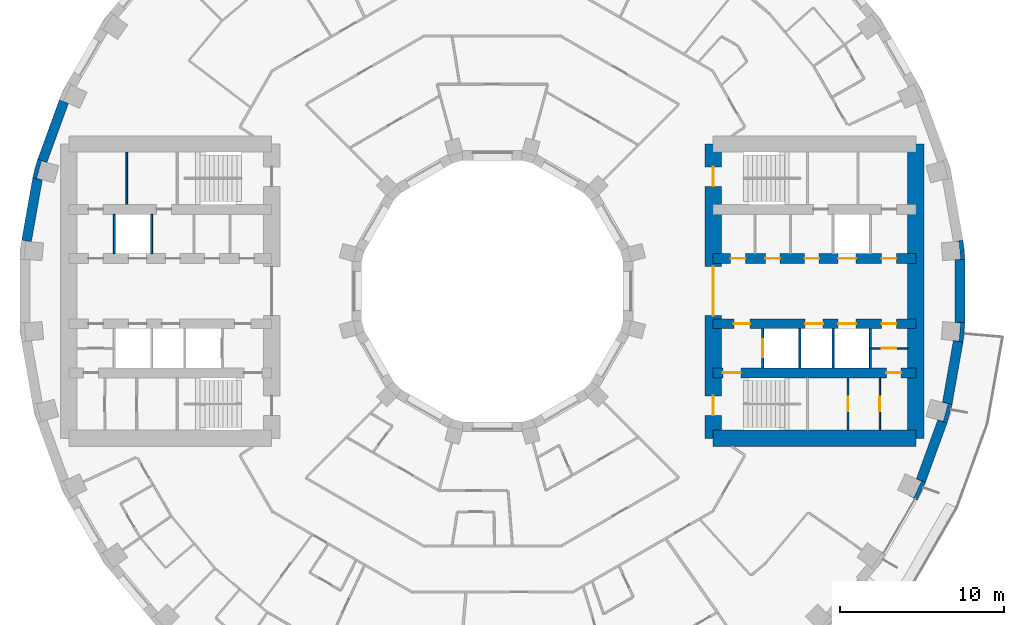
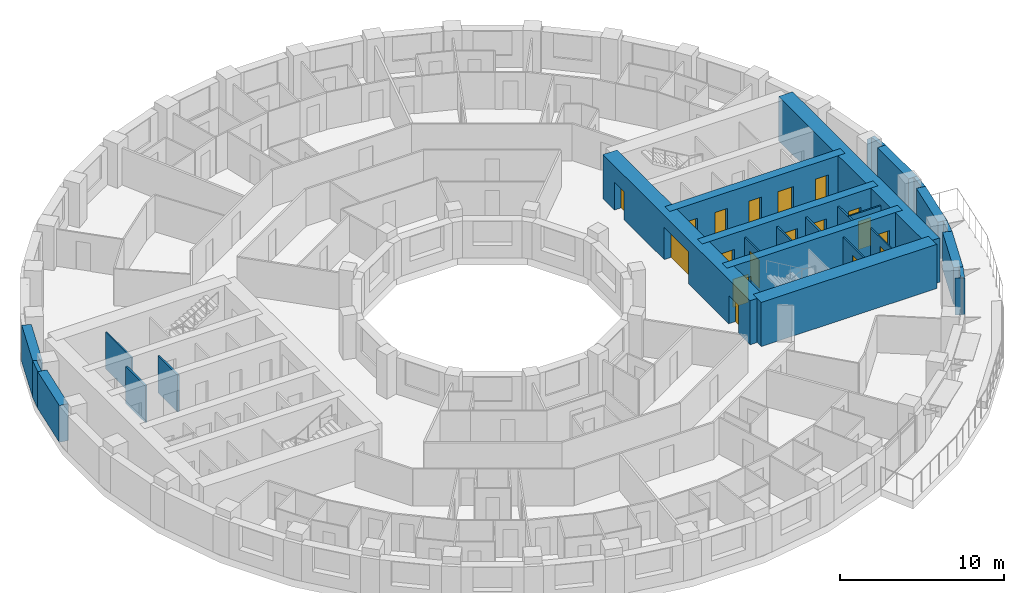
# One storey, part 9 of 15: 26 walls, 18 doors, 18 openings.
"""IFC4 building model written with IfcOpenShell, lengths in metres."""

import ifcopenshell
import ifcopenshell.guid

model = None  # the IFC model being written
_history = None  # IfcOwnerHistory: only IFC2X3 demands one
_inside = {}  # id of a spatial element -> (the spatial element, [elements in it])
_under = {}  # id of a project, library or spatial element -> (it, [spatial elements below it])
_declared = {}  # id of a project -> (the project, [libraries it declares])
_typed = {}  # id of a type object -> (the type object, [elements of that type])
_made_of = {}  # id of a material, layer set ... -> (it, [elements and type objects made of it])


def new_model(schema):
    """Start an empty IFC model of exactly this schema.

    Asked for "IFC4X3", IfcOpenShell would pick the latest addendum, in which some entities
    have other attributes; the version numbers below select the first issue.
    IFC2X3 requires an IfcOwnerHistory on every rooted entity: one is made here for all.
    """
    global model, _history
    if schema == "IFC4X3":
        model = ifcopenshell.file(schema_version=(4, 3, 0, 0))
    else:
        model = ifcopenshell.file(schema=schema)
    _inside.clear()
    _under.clear()
    _declared.clear()
    _typed.clear()
    _made_of.clear()
    _history = None
    if model.schema == "IFC2X3":
        org = make("IfcOrganization", Name="unknown")
        user = make(
            "IfcPersonAndOrganization",
            ThePerson=make("IfcPerson", FamilyName="unknown"),
            TheOrganization=org,
        )
        app = make(
            "IfcApplication",
            ApplicationDeveloper=org,
            Version="unknown",
            ApplicationFullName="unknown",
            ApplicationIdentifier="unknown",
        )
        _history = make(
            "IfcOwnerHistory",
            OwningUser=user,
            OwningApplication=app,
            ChangeAction="ADDED",
            CreationDate=0,
        )
    return model


def make(cls, **values):
    """One entity of the class cls with the attributes given. An attribute that is None is left unset."""
    return model.create_entity(
        cls, **{name: value for name, value in values.items() if value is not None}
    )


def rooted(cls, **values):
    """An entity with a GlobalId (a new one), such as an element, a storey or a relation."""
    return make(cls, GlobalId=ifcopenshell.guid.new(), OwnerHistory=_history, **values)


def si_unit(unit_type, name, prefix=None):
    """IfcSIUnit, for example si_unit("LENGTHUNIT", "METRE", prefix="MILLI")."""
    return make("IfcSIUnit", UnitType=unit_type, Prefix=prefix, Name=name)


def assignment(units):
    """IfcUnitAssignment: the units of a project."""
    return None if units is None else make("IfcUnitAssignment", Units=units)


def point(xyz):
    """IfcCartesianPoint."""
    return None if xyz is None else make("IfcCartesianPoint", Coordinates=xyz)


def direction(xyz):
    """IfcDirection."""
    return None if xyz is None else make("IfcDirection", DirectionRatios=xyz)


def frame(location, z_axis=None, x_axis=None):
    """IfcAxis2Placement3D, a coordinate frame: its origin and axes. An axis left out is left unset."""
    return make(
        "IfcAxis2Placement3D",
        Location=point(location),
        Axis=direction(z_axis),
        RefDirection=direction(x_axis),
    )


def frame_2d(location, x_axis=None):
    """IfcAxis2Placement2D, a coordinate frame in the plane: its origin and x axis."""
    return make(
        "IfcAxis2Placement2D", Location=point(location), RefDirection=direction(x_axis)
    )


def origin():
    """The frame at (0, 0, 0) with its axes left unset."""
    return frame((0.0, 0.0, 0.0))


def place(relative_to, where):
    """IfcLocalPlacement: puts the frame where relative to a parent placement (None: the world)."""
    return make(
        "IfcLocalPlacement", PlacementRelTo=relative_to, RelativePlacement=where
    )


def context(
    kind, dimensions, precision=None, world=None, true_north=None, identifier=None
):
    """IfcGeometricRepresentationContext, for example the 3D "Model" context."""
    return make(
        "IfcGeometricRepresentationContext",
        ContextIdentifier=identifier,
        ContextType=kind,
        CoordinateSpaceDimension=dimensions,
        Precision=precision,
        WorldCoordinateSystem=world,
        TrueNorth=true_north,
    )


def subcontext(parent, identifier, kind, view, scale=None):
    """IfcGeometricRepresentationSubContext, for example "Body" below "Model"."""
    return make(
        "IfcGeometricRepresentationSubContext",
        ContextIdentifier=identifier,
        ContextType=kind,
        ParentContext=parent,
        TargetScale=scale,
        TargetView=view,
    )


def project(units=None, contexts=None):
    """IfcProject with its units and contexts."""
    return rooted(
        "IfcProject",
        Name="project",
        RepresentationContexts=contexts,
        UnitsInContext=assignment(units),
    )


def spatial(cls, under=None, at=None, **own):
    """A site, building, storey or space (cls), placed at a placement, below another one or the project."""
    s = rooted(cls, ObjectPlacement=at, **own)
    if under is not None:
        _under.setdefault(under.id(), (under, []))[1].append(s)
    return s


def polyline(points):
    """IfcPolyline through the points."""
    return make("IfcPolyline", Points=[point(p) for p in points])


def profile(cls, at=None, kind="AREA", **sizes):
    """A parametric profile (cls). Its sizes go by their IFC names, for example OverallWidth=200.0."""
    return make(cls, ProfileType=kind, Position=at, **sizes)


def rectangle(**sizes):
    """IfcRectangleProfileDef."""
    return profile("IfcRectangleProfileDef", **sizes)


def outline(outer, holes=None, kind="AREA"):
    """IfcArbitraryClosedProfileDef: a profile drawn as a closed curve; with holes, ...WithVoids."""
    if holes is None:
        return make("IfcArbitraryClosedProfileDef", ProfileType=kind, OuterCurve=outer)
    return make(
        "IfcArbitraryProfileDefWithVoids",
        ProfileType=kind,
        OuterCurve=outer,
        InnerCurves=holes,
    )


def extrude(swept, where, along, depth):
    """IfcExtrudedAreaSolid: the profile swept, set in the frame where, extruded along a direction by depth."""
    return make(
        "IfcExtrudedAreaSolid",
        SweptArea=swept,
        Position=where,
        ExtrudedDirection=direction(along),
        Depth=depth,
    )


def shape(context_of_items, identifier, shape_type, items):
    """IfcShapeRepresentation: the items that make up one representation, for example the "Body"."""
    return make(
        "IfcShapeRepresentation",
        ContextOfItems=context_of_items,
        RepresentationIdentifier=identifier,
        RepresentationType=shape_type,
        Items=items,
    )


def material(Name=None, Category=None):
    """IfcMaterial."""
    return make("IfcMaterial", Name=Name, Category=Category)


def layer(
    of_material, thickness, ventilated=None, Name=None, Category=None, Priority=None
):
    """IfcMaterialLayer: one layer of a wall or slab, of a material (None: an air gap)."""
    return make(
        "IfcMaterialLayer",
        Material=of_material,
        LayerThickness=thickness,
        IsVentilated=ventilated,
        Name=Name,
        Category=Category,
        Priority=Priority,
    )


def layer_set(layers, Name=None):
    """IfcMaterialLayerSet."""
    return make("IfcMaterialLayerSet", MaterialLayers=layers, LayerSetName=Name)


def made_of(thing, what):
    """Note that an element or type object is made of a material, layer set ...; save() writes the relation."""
    if what is not None:
        _made_of.setdefault(what.id(), (what, []))[1].append(thing)
    return thing


def type_object(cls, material=None, **own):
    """A type object (cls), such as IfcWallType, which elements share."""
    return made_of(rooted(cls, **own), material)


def element(
    cls,
    number,
    at=None,
    inside=None,
    cuts=None,
    type_object=None,
    material=None,
    context=None,
    identifier="Body",
    shape_type=None,
    held_by="IfcProductDefinitionShape",
    body=None,
    shapes=None,
    **own,
):
    """One element of the class cls, such as IfcWall. Its Tag is "e" and its number.

    at: its placement. inside: the storey or other place that contains it. cuts: it is an
    opening in that element (IfcRelVoidsElement). A single representation is given by context,
    identifier, shape_type and body (its items); several are given by shapes. held_by: the class
    of the entity that holds the representations. save() writes the other relations.
    """
    e = rooted(cls, Tag="e%d" % number, ObjectPlacement=at, **own)
    if body is not None:
        shapes = [shape(context, identifier, shape_type, body)]
    if shapes is not None:
        e.Representation = make(held_by, Representations=shapes)
    if inside is not None:
        _inside.setdefault(inside.id(), (inside, []))[1].append(e)
    if cuts is not None:
        rooted(
            "IfcRelVoidsElement", RelatingBuildingElement=cuts, RelatedOpeningElement=e
        )
    if type_object is not None:
        _typed.setdefault(type_object.id(), (type_object, []))[1].append(e)
    return made_of(e, material)


def fill(opening, filler):
    """IfcRelFillsElement: the door or window that sits in an opening."""
    return rooted(
        "IfcRelFillsElement",
        RelatingOpeningElement=opening,
        RelatedBuildingElement=filler,
    )


def aggregate(whole, parts):
    """IfcRelAggregates: a whole, such as a stair, and the parts it consists of."""
    return rooted("IfcRelAggregates", RelatingObject=whole, RelatedObjects=parts)


def save(model, path):
    """Write the relations noted so far, then the file.

    IfcRelAggregates (storeys below a building ...), IfcRelContainedInSpatialStructure (elements
    in a storey), IfcRelDefinesByType, IfcRelAssociatesMaterial and IfcRelDeclares: one each for
    every whole, place, type object, material and project.
    """
    for whole, parts in _under.values():
        aggregate(whole, parts)
    for where, things in _inside.values():
        rooted(
            "IfcRelContainedInSpatialStructure",
            RelatedElements=things,
            RelatingStructure=where,
        )
    for kind, things in _typed.values():
        rooted("IfcRelDefinesByType", RelatedObjects=things, RelatingType=kind)
    for what, things in _made_of.values():
        rooted("IfcRelAssociatesMaterial", RelatedObjects=things, RelatingMaterial=what)
    for by, libraries in _declared.values():
        rooted("IfcRelDeclares", RelatingContext=by, RelatedDefinitions=libraries)
    model.write(path)


model = new_model("IFC4")

# Units and contexts
model_context = context("Model", 3, precision=1e-05, world=origin(), true_north=direction((0.0, 1.0)))
body_context = subcontext(model_context, "Body", "Model", "MODEL_VIEW")
ifc_project = project(units=[si_unit("LENGTHUNIT", "METRE"), si_unit("AREAUNIT", "SQUARE_METRE"), si_unit("VOLUMEUNIT", "CUBIC_METRE"), si_unit("PLANEANGLEUNIT", "RADIAN"), si_unit("MASSUNIT", "GRAM", prefix="KILO")], contexts=[model_context])

# Site, building, storey
site_placement = place(None, origin())
site = spatial("IfcSite", under=ifc_project, at=site_placement, CompositionType="ELEMENT")
building_placement = place(site_placement, origin())
building = spatial("IfcBuilding", under=site, at=building_placement, Name="Saqina Gate Tower", CompositionType="ELEMENT")
storey_placement = place(building_placement, frame((0.0, 0.0, 36.199951171875)))
storey = spatial("IfcBuildingStorey", under=building, at=storey_placement, Name="L09", CompositionType="ELEMENT", Elevation=36.199951171875)

# Walls
ifc_material_1 = material(Name="Brick masonry (red)", Category="masonry")
wall_type_1 = type_object("IfcWallType", Name="BRICK PIER COPING RED", PredefinedType="SOLIDWALL", material=ifc_material_1)
wall_1_placement = place(storey_placement, origin())
element("IfcWall", 1, at=wall_1_placement, inside=storey, type_object=wall_type_1, Name="Pier cap L09 column 1", PredefinedType="SOLIDWALL", context=body_context, shape_type="SweptSolid", body=[
    extrude(outline(polyline([(28.8896484375, 1.9228515625), (28.78466796875, 3.122802734375), (28.19384765625, 3.018798828125), (28.54296875, 3.04931640625), (28.638671875, 1.95361328125), (28.28955078125, 1.9228515625), (28.8896484375, 1.9228515625)])), origin(), (0.0, 0.0, 1.0), 2.75),
])
wall_2_placement = place(storey_placement, origin())
element("IfcWall", 2, at=wall_2_placement, inside=storey, type_object=wall_type_1, Name="Pier cap L09 column 17", PredefinedType="SOLIDWALL", context=body_context, shape_type="SweptSolid", body=[
    extrude(outline(polyline([(-28.11669921875, 6.910400390625), (-27.52587890625, 6.80615234375), (-27.864501953125, 6.896728515625), (-27.57958984375, 7.95947265625), (-27.2412109375, 7.86865234375), (-27.80517578125, 8.073974609375), (-28.11669921875, 6.910400390625)])), origin(), (0.0, 0.0, 1.0), 2.75),
])
wall_3_placement = place(storey_placement, origin())
element("IfcWall", 3, at=wall_3_placement, inside=storey, type_object=wall_type_1, Name="Pier cap L09 column 34", PredefinedType="SOLIDWALL", context=body_context, shape_type="SweptSolid", body=[
    extrude(outline(polyline([(26.48974609375, -11.687744140625), (25.92578125, -11.482666015625), (26.243408203125, -11.630615234375), (25.778564453125, -12.627685546875), (25.4609375, -12.4794921875), (25.980712890625, -12.779541015625), (26.48974609375, -11.687744140625)])), origin(), (0.0, 0.0, 1.0), 2.75),
])
wall_4_placement = place(storey_placement, origin())
element("IfcWall", 4, at=wall_4_placement, inside=storey, type_object=wall_type_1, Name="Pier cap L09 column 35", PredefinedType="SOLIDWALL", context=body_context, shape_type="SweptSolid", body=[
    extrude(outline(polyline([(28.11669921875, -6.910400390625), (27.52587890625, -6.80615234375), (27.864501953125, -6.896728515625), (27.57958984375, -7.95947265625), (27.2412109375, -7.86865234375), (27.80517578125, -8.073974609375), (28.11669921875, -6.910400390625)])), origin(), (0.0, 0.0, 1.0), 2.75),
])
wall_5_placement = place(storey_placement, origin())
element("IfcWall", 5, at=wall_5_placement, inside=storey, type_object=wall_type_1, Name="Pier cap L09 column 36", PredefinedType="SOLIDWALL", context=body_context, shape_type="SweptSolid", body=[
    extrude(outline(polyline([(28.78466796875, -3.122802734375), (28.8896484375, -1.9228515625), (28.28955078125, -1.9228515625), (28.638671875, -1.95361328125), (28.54296875, -3.04931640625), (28.19384765625, -3.018798828125), (28.78466796875, -3.122802734375)])), origin(), (0.0, 0.0, 1.0), 2.75),
])

# Wall, opening, door
ifc_material_2 = material(Name="Gypsum board on steel studs", Category="steel")
ifc_layer_1 = layer(ifc_material_2, 0.10009765625)
ifc_layer_set_1 = layer_set([ifc_layer_1], Name="CORE PARTITION")
wall_type_2 = type_object("IfcWallType", Name="CORE PARTITION", PredefinedType="PARTITIONING", material=ifc_layer_set_1)
wall_6_placement = place(storey_placement, frame((23.1201171875, -3.5, 0.0), z_axis=(0.0, 0.0, 1.0), x_axis=(1.0, 0.0, 0.0)))
wall_6 = element("IfcWall", 6, at=wall_6_placement, inside=storey, type_object=wall_type_2, Name="L09-CP-E09", PredefinedType="PARTITIONING", context=body_context, shape_type="SweptSolid", body=[
    extrude(rectangle(XDim=2.27978515625, YDim=0.10009765625, at=frame_2d((1.139892578125, 0.0))), origin(), (0.0, 0.0, 1.0), 2.75),
])
opening_1_placement = place(wall_6_placement, frame((0.68994140625, 0.0, 0.0)))
opening_1 = element("IfcOpeningElement", 7, at=opening_1_placement, cuts=wall_6, Name="Opening G02-D98", PredefinedType="OPENING", context=body_context, shape_type="SweptSolid", body=[
    extrude(rectangle(XDim=0.89990234375, YDim=2.10009765625, at=frame_2d((0.449951171875, 1.050048828125))), frame((0.0, 0.06201171875, 0.0), z_axis=(0.0, -1.0, 0.0), x_axis=(1.0, 0.0, 0.0)), (0.0, 0.0, 1.0), 0.1240234375),
])
ifc_material_3 = material(Name="Steel-framed fire door leaf, EI 60", Category="steel")
door_type_1 = type_object("IfcDoorType", Name="SERVICE ROOM DOOR 900", OperationType="SINGLE_SWING_LEFT", PredefinedType="DOOR", material=ifc_material_3)
door_1_placement = place(opening_1_placement, frame((0.89990234375, 0.0, 0.0), z_axis=(0.0, 0.0, 1.0), x_axis=(-1.0, 0.0, 0.0)))
door_1 = element("IfcDoor", 8, at=door_1_placement, inside=storey, type_object=door_type_1, Name="L09-CD-E09", OperationType="SINGLE_SWING_LEFT", OverallHeight=2.10009765625, OverallWidth=0.89990234375, PredefinedType="DOOR", context=body_context, shape_type="SweptSolid", body=[
    extrude(rectangle(XDim=0.89990234375, YDim=2.10009765625, at=frame_2d((0.449951171875, 1.050048828125))), frame((0.0, 0.02490234375, 0.0), z_axis=(0.0, -1.0, 0.0), x_axis=(1.0, 0.0, 0.0)), (0.0, 0.0, 1.0), 0.050048828125),
])
fill(opening_1, door_1)

wall_7_placement = place(storey_placement, frame((21.751953125, -8.5, 0.0), z_axis=(0.0, 0.0, 1.0), x_axis=(0.0, 1.0, 0.0)))
wall_7 = element("IfcWall", 9, at=wall_7_placement, inside=storey, type_object=wall_type_2, Name="L09-CP-E13", PredefinedType="PARTITIONING", context=body_context, shape_type="SweptSolid", body=[
    extrude(rectangle(XDim=3.199951171875, YDim=0.10009765625, at=frame_2d((1.60009765625, 0.0))), origin(), (0.0, 0.0, 1.0), 2.75),
])
opening_2_placement = place(wall_7_placement, frame((1.14990234375, 0.0, 0.0)))
opening_2 = element("IfcOpeningElement", 10, at=opening_2_placement, cuts=wall_7, Name="Opening G02-D100", PredefinedType="OPENING", context=body_context, shape_type="SweptSolid", body=[
    extrude(rectangle(XDim=0.89990234375, YDim=2.10009765625, at=frame_2d((0.449951171875, 1.050048828125))), frame((0.0, 0.06201171875, 0.0), z_axis=(0.0, -1.0, 0.0), x_axis=(1.0, 0.0, 0.0)), (0.0, 0.0, 1.0), 0.1240234375),
])
door_2_placement = place(opening_2_placement, origin())
door_2 = element("IfcDoor", 11, at=door_2_placement, inside=storey, type_object=door_type_1, Name="L09-CD-E11", OperationType="SINGLE_SWING_LEFT", OverallHeight=2.10009765625, OverallWidth=0.89990234375, PredefinedType="DOOR", context=body_context, shape_type="SweptSolid", body=[
    extrude(rectangle(XDim=0.89990234375, YDim=2.10009765625, at=frame_2d((0.449951171875, 1.050048828125))), frame((0.0, 0.02490234375, 0.0), z_axis=(0.0, -1.0, 0.0), x_axis=(1.0, 0.0, 0.0)), (0.0, 0.0, 1.0), 0.050048828125),
])
fill(opening_2, door_2)

wall_8_placement = place(storey_placement, frame((23.697509765625, -8.5, 0.0), z_axis=(0.0, 0.0, 1.0), x_axis=(0.0, 1.0, 0.0)))
wall_8 = element("IfcWall", 12, at=wall_8_placement, inside=storey, type_object=wall_type_2, Name="L09-CP-E14", PredefinedType="PARTITIONING", context=body_context, shape_type="SweptSolid", body=[
    extrude(rectangle(XDim=3.199951171875, YDim=0.10009765625, at=frame_2d((1.60009765625, 0.0))), origin(), (0.0, 0.0, 1.0), 2.75),
])
opening_3_placement = place(wall_8_placement, frame((1.14990234375, 0.0, 0.0)))
opening_3 = element("IfcOpeningElement", 13, at=opening_3_placement, cuts=wall_8, Name="Opening G02-D99", PredefinedType="OPENING", context=body_context, shape_type="SweptSolid", body=[
    extrude(rectangle(XDim=0.89990234375, YDim=2.10009765625, at=frame_2d((0.449951171875, 1.050048828125))), frame((0.0, 0.06201171875, 0.0), z_axis=(0.0, -1.0, 0.0), x_axis=(1.0, 0.0, 0.0)), (0.0, 0.0, 1.0), 0.1240234375),
])
door_3_placement = place(opening_3_placement, origin())
door_3 = element("IfcDoor", 14, at=door_3_placement, inside=storey, type_object=door_type_1, Name="L09-CD-E10", OperationType="SINGLE_SWING_LEFT", OverallHeight=2.10009765625, OverallWidth=0.89990234375, PredefinedType="DOOR", context=body_context, shape_type="SweptSolid", body=[
    extrude(rectangle(XDim=0.89990234375, YDim=2.10009765625, at=frame_2d((0.449951171875, 1.050048828125))), frame((0.0, 0.02490234375, 0.0), z_axis=(0.0, -1.0, 0.0), x_axis=(1.0, 0.0, 0.0)), (0.0, 0.0, 1.0), 0.050048828125),
])
fill(opening_3, door_3)

# Walls
wall_9_placement = place(storey_placement, frame((-22.360107421875, 5.300048828125, 0.0), z_axis=(0.0, 0.0, 1.0), x_axis=(0.0, 1.0, 0.0)))
element("IfcWall", 15, at=wall_9_placement, inside=storey, type_object=wall_type_2, Name="L09-CP-W11", PredefinedType="PARTITIONING", context=body_context, shape_type="SweptSolid", body=[
    extrude(rectangle(XDim=3.199951171875, YDim=0.10009765625, at=frame_2d((1.60009765625, 0.0))), origin(), (0.0, 0.0, 1.0), 2.75),
])
ifc_material_4 = material(Name="Glazed ceramic tile", Category="ceramic")
ifc_layer_2 = layer(ifc_material_4, 0.60009765625)
ifc_layer_set_2 = layer_set([ifc_layer_2], Name="FW-TILE")
wall_type_3 = type_object("IfcWallType", Name="FW-TILE", PredefinedType="SOLIDWALL", material=ifc_layer_set_2)
for number, where, z_axis, x_axis, name in (
    (16, (-26.207763671875, 11.585205078125, 0.0), (0.0, 0.0, 1.0), (-0.342028474173, -0.939689588564, 0.0), "Facade wall L09 facet 16"),
    (17, (26.207763671875, -11.585205078125, 0.0), (0.0, 0.0, 1.0), (0.342028474173, 0.939689588564, 0.0), "Facade wall L09 facet 34"),
):
    element("IfcWall", number, at=place(storey_placement, frame(where, z_axis=z_axis, x_axis=x_axis)), inside=storey, type_object=wall_type_3, Name=name, PredefinedType="SOLIDWALL", context=body_context, shape_type="SweptSolid", body=[
        extrude(rectangle(XDim=3.845947265625, YDim=0.60009765625, at=frame_2d((1.9228515625, 0.0))), origin(), (0.0, 0.0, 1.0), 2.75),
    ])
wall_10_placement = place(storey_placement, frame((28.589599609375, -1.9228515625, 0.0), z_axis=(0.0, 0.0, 1.0), x_axis=(0.0, 1.0, 0.0)))
element("IfcWall", 18, at=wall_10_placement, inside=storey, type_object=wall_type_3, Name="Facade wall L09 facet 36", PredefinedType="SOLIDWALL", context=body_context, shape_type="SweptSolid", body=[
    extrude(rectangle(XDim=3.845703125, YDim=0.60009765625, at=frame_2d((1.9228515625, 0.0))), origin(), (0.0, 0.0, 1.0), 2.75),
])
ifc_material_5 = material(Name="Glazed ceramic tile (dark blue)", Category="ceramic")
ifc_layer_3 = layer(ifc_material_5, 0.60009765625)
ifc_layer_set_3 = layer_set([ifc_layer_3], Name="FW-TILE-CB")
wall_type_4 = type_object("IfcWallType", Name="FW-TILE-CB", PredefinedType="SOLIDWALL", material=ifc_layer_set_3)
wall_11_placement = place(storey_placement, frame((-27.8212890625, 6.858154296875, 0.0), z_axis=(0.0, 0.0, 1.0), x_axis=(-0.173687553279, -0.984800809218, 0.0)))
element("IfcWall", 19, at=wall_11_placement, inside=storey, type_object=wall_type_4, Name="Facade wall L09 facet 17", PredefinedType="SOLIDWALL", context=body_context, shape_type="SweptSolid", body=[
    extrude(rectangle(XDim=3.845703125, YDim=0.60009765625, at=frame_2d((1.9228515625, 0.0))), origin(), (0.0, 0.0, 1.0), 2.75),
])
ifc_material_6 = material(Name="Glazed ceramic tile (white)", Category="ceramic")
ifc_layer_4 = layer(ifc_material_6, 0.60009765625)
ifc_layer_set_4 = layer_set([ifc_layer_4], Name="FW-TILE-WH")
wall_type_5 = type_object("IfcWallType", Name="FW-TILE-WH", PredefinedType="SOLIDWALL", material=ifc_layer_set_4)
wall_12_placement = place(storey_placement, frame((27.8212890625, -6.858154296875, 0.0), z_axis=(0.0, 0.0, 1.0), x_axis=(0.173687553279, 0.984800809218, 0.0)))
element("IfcWall", 20, at=wall_12_placement, inside=storey, type_object=wall_type_5, Name="Facade wall L09 facet 35", PredefinedType="SOLIDWALL", context=body_context, shape_type="SweptSolid", body=[
    extrude(rectangle(XDim=3.845703125, YDim=0.60009765625, at=frame_2d((1.9228515625, 0.0))), origin(), (0.0, 0.0, 1.0), 2.75),
])

# Wall, opening, door
ifc_material_7 = material(Name="Autoclaved aerated concrete block", Category="concrete")
ifc_layer_5 = layer(ifc_material_7, 0.1201171875)
ifc_layer_set_5 = layer_set([ifc_layer_5], Name="SHAFT PARTITION")
wall_type_6 = type_object("IfcWallType", Name="SHAFT PARTITION", PredefinedType="PARTITIONING", material=ifc_layer_set_5)
wall_13_placement = place(storey_placement, frame((16.530029296875, -4.699951171875, 0.0), z_axis=(0.0, 0.0, 1.0), x_axis=(0.0, 1.0, 0.0)))
wall_13 = element("IfcWall", 21, at=wall_13_placement, inside=storey, type_object=wall_type_6, Name="L09-CP-E05", PredefinedType="PARTITIONING", context=body_context, shape_type="SweptSolid", body=[
    extrude(rectangle(XDim=2.39990234375, YDim=0.1201171875, at=frame_2d((1.199951171875, 0.0))), origin(), (0.0, 0.0, 1.0), 2.75),
])
opening_4_placement = place(wall_13_placement, frame((0.64990234375, 0.0, 0.0)))
opening_4 = element("IfcOpeningElement", 22, at=opening_4_placement, cuts=wall_13, Name="Opening G02-LD2", PredefinedType="OPENING", context=body_context, shape_type="SweptSolid", body=[
    extrude(rectangle(XDim=1.10009765625, YDim=2.10009765625, at=frame_2d((0.550048828125, 1.050048828125))), frame((0.0, 0.072021484375, 0.0), z_axis=(0.0, -1.0, 0.0), x_axis=(1.0, 0.0, 0.0)), (0.0, 0.0, 1.0), 0.14404296875),
])
ifc_material_8 = material(Name="Stainless steel", Category="steel")
door_type_2 = type_object("IfcDoorType", Name="LANDING DOOR", OperationType="DOUBLE_DOOR_SLIDING", PredefinedType="DOOR", material=ifc_material_8)
door_4_placement = place(opening_4_placement, origin())
door_4 = element("IfcDoor", 23, at=door_4_placement, inside=storey, type_object=door_type_2, Name="LANDING DOOR FF1", OperationType="DOUBLE_DOOR_SLIDING", OverallHeight=2.10009765625, OverallWidth=1.10009765625, PredefinedType="DOOR", context=body_context, shape_type="SweptSolid", body=[
    extrude(rectangle(XDim=1.10009765625, YDim=2.10009765625, at=frame_2d((0.550048828125, 1.050048828125))), frame((0.0, 0.02490234375, 0.0), z_axis=(0.0, -1.0, 0.0), x_axis=(1.0, 0.0, 0.0)), (0.0, 0.0, 1.0), 0.050048828125),
])
fill(opening_4, door_4)

# Walls
for number, where, z_axis, x_axis, name in (
    (24, (18.81005859375, -4.699951171875, 0.0), (0.0, 0.0, 1.0), (0.0, 1.0, 0.0), "L09-CP-E06"),
    (25, (20.840087890625, -4.699951171875, 0.0), (0.0, 0.0, 1.0), (0.0, 1.0, 0.0), "L09-CP-E07"),
    (26, (23.1201171875, -4.699951171875, 0.0), (0.0, 0.0, 1.0), (0.0, 1.0, 0.0), "L09-CP-E08"),
    (27, (-20.840087890625, 2.300048828125, 0.0), (0.0, 0.0, 1.0), (0.0, 1.0, 0.0), "L09-CP-W03"),
    (28, (-23.1201171875, 2.300048828125, 0.0), (0.0, 0.0, 1.0), (0.0, 1.0, 0.0), "L09-CP-W04"),
):
    element("IfcWall", number, at=place(storey_placement, frame(where, z_axis=z_axis, x_axis=x_axis)), inside=storey, type_object=wall_type_6, Name=name, PredefinedType="PARTITIONING", context=body_context, shape_type="SweptSolid", body=[
        extrude(rectangle(XDim=2.39990234375, YDim=0.1201171875, at=frame_2d((1.199951171875, 0.0))), origin(), (0.0, 0.0, 1.0), 2.75),
    ])

# Wall, openings, doors
ifc_material_9 = material(Name="Concrete C70/85", Category="concrete")
ifc_layer_6 = layer(ifc_material_9, 0.60009765625)
ifc_layer_set_6 = layer_set([ifc_layer_6], Name="Concrete C70/85")
wall_type_7 = type_object("IfcWallType", Name="STR-CORE WALL-A-I", PredefinedType="SHEAR", material=ifc_layer_set_6)
wall_14_placement = place(storey_placement, frame((13.5, -5.0, 0.0), z_axis=(0.0, 0.0, 1.0), x_axis=(1.0, 0.0, 0.0)))
wall_14 = element("IfcWall", 29, at=wall_14_placement, inside=storey, type_object=wall_type_7, Name="CORE WALL L09 E-X2", PredefinedType="SHEAR", context=body_context, shape_type="SweptSolid", body=[
    extrude(rectangle(XDim=12.39990234375, YDim=0.60009765625, at=frame_2d((6.199951171875, 0.0))), origin(), (0.0, 0.0, 1.0), 3.300048828125),
])
opening_5_placement = place(wall_14_placement, frame((10.598876953125, 0.0, 0.0)))
opening_5 = element("IfcOpeningElement", 30, at=opening_5_placement, cuts=wall_14, Name="Opening G02-D101", PredefinedType="OPENING", context=body_context, shape_type="SweptSolid", body=[
    extrude(rectangle(XDim=0.89990234375, YDim=2.10009765625, at=frame_2d((0.449951171875, 1.050048828125))), frame((0.0, 0.31201171875, 0.0), z_axis=(0.0, -1.0, 0.0), x_axis=(1.0, 0.0, 0.0)), (0.0, 0.0, 1.0), 0.6240234375),
])
opening_6_placement = place(wall_14_placement, frame((0.60009765625, 0.0, 0.0)))
opening_6 = element("IfcOpeningElement", 31, at=opening_6_placement, cuts=wall_14, Name="Opening G02-D102", PredefinedType="OPENING", context=body_context, shape_type="SweptSolid", body=[
    extrude(rectangle(XDim=1.10009765625, YDim=2.10009765625, at=frame_2d((0.550048828125, 1.050048828125))), frame((0.0, 0.31201171875, 0.0), z_axis=(0.0, -1.0, 0.0), x_axis=(1.0, 0.0, 0.0)), (0.0, 0.0, 1.0), 0.6240234375),
])
ifc_material_10 = material(Name="Steel", Category="steel")
door_type_3 = type_object("IfcDoorType", Name="FIRE LOBBY DOOR EI 60 WIDE", OperationType="SINGLE_SWING_LEFT", PredefinedType="DOOR", material=ifc_material_10)
door_5_placement = place(opening_6_placement, frame((1.10009765625, 0.0, 0.0), z_axis=(0.0, 0.0, 1.0), x_axis=(-1.0, 0.0, 0.0)))
door_5 = element("IfcDoor", 32, at=door_5_placement, inside=storey, type_object=door_type_3, Name="L09-CD-E13", OperationType="SINGLE_SWING_RIGHT", OverallHeight=2.10009765625, OverallWidth=1.10009765625, PredefinedType="DOOR", context=body_context, shape_type="SweptSolid", body=[
    extrude(rectangle(XDim=1.10009765625, YDim=2.10009765625, at=frame_2d((0.550048828125, 1.050048828125))), frame((0.0, 0.02490234375, 0.0), z_axis=(0.0, -1.0, 0.0), x_axis=(1.0, 0.0, 0.0)), (0.0, 0.0, 1.0), 0.050048828125),
])
fill(opening_6, door_5)
door_6_placement = place(opening_5_placement, frame((0.89990234375, 0.0, 0.0), z_axis=(0.0, 0.0, 1.0), x_axis=(-1.0, 0.0, 0.0)))
door_6 = element("IfcDoor", 33, at=door_6_placement, inside=storey, type_object=door_type_1, Name="L09-CD-E12", OperationType="SINGLE_SWING_LEFT", OverallHeight=2.10009765625, OverallWidth=0.89990234375, PredefinedType="DOOR", context=body_context, shape_type="SweptSolid", body=[
    extrude(rectangle(XDim=0.89990234375, YDim=2.10009765625, at=frame_2d((0.449951171875, 1.050048828125))), frame((0.0, 0.02490234375, 0.0), z_axis=(0.0, -1.0, 0.0), x_axis=(1.0, 0.0, 0.0)), (0.0, 0.0, 1.0), 0.050048828125),
])
fill(opening_5, door_6)

wall_15_placement = place(storey_placement, frame((13.5, 2.0, 0.0), z_axis=(0.0, 0.0, 1.0), x_axis=(1.0, 0.0, 0.0)))
wall_15 = element("IfcWall", 34, at=wall_15_placement, inside=storey, type_object=wall_type_7, Name="CORE WALL L09 E-L1", PredefinedType="SHEAR", context=body_context, shape_type="SweptSolid", body=[
    extrude(rectangle(XDim=12.39990234375, YDim=0.60009765625, at=frame_2d((6.199951171875, 0.0))), origin(), (0.0, 0.0, 1.0), 3.300048828125),
])
opening_7_placement = place(wall_15_placement, frame((7.64990234375, 0.0, 0.0)))
opening_7 = element("IfcOpeningElement", 35, at=opening_7_placement, cuts=wall_15, Name="Opening G02-LD1", PredefinedType="OPENING", context=body_context, shape_type="SweptSolid", body=[
    extrude(rectangle(XDim=1.10009765625, YDim=2.10009765625, at=frame_2d((0.550048828125, 1.050048828125))), frame((0.0, 0.31201171875, 0.0), z_axis=(0.0, -1.0, 0.0), x_axis=(1.0, 0.0, 0.0)), (0.0, 0.0, 1.0), 0.6240234375),
])
opening_8_placement = place(wall_15_placement, frame((1.075927734375, 0.0, 0.0)))
opening_8 = element("IfcOpeningElement", 36, at=opening_8_placement, cuts=wall_15, Name="Opening G02-D90", PredefinedType="OPENING", context=body_context, shape_type="SweptSolid", body=[
    extrude(rectangle(XDim=0.89990234375, YDim=2.10009765625, at=frame_2d((0.449951171875, 1.050048828125))), frame((0.0, 0.31201171875, 0.0), z_axis=(0.0, -1.0, 0.0), x_axis=(1.0, 0.0, 0.0)), (0.0, 0.0, 1.0), 0.6240234375),
])
opening_9_placement = place(wall_15_placement, frame((3.1962890625, 0.0, 0.0)))
opening_9 = element("IfcOpeningElement", 37, at=opening_9_placement, cuts=wall_15, Name="Opening G02-D91", PredefinedType="OPENING", context=body_context, shape_type="SweptSolid", body=[
    extrude(rectangle(XDim=0.89990234375, YDim=2.10009765625, at=frame_2d((0.449951171875, 1.050048828125))), frame((0.0, 0.31201171875, 0.0), z_axis=(0.0, -1.0, 0.0), x_axis=(1.0, 0.0, 0.0)), (0.0, 0.0, 1.0), 0.6240234375),
])
opening_10_placement = place(wall_15_placement, frame((5.59033203125, 0.0, 0.0)))
opening_10 = element("IfcOpeningElement", 38, at=opening_10_placement, cuts=wall_15, Name="Opening G02-D92", PredefinedType="OPENING", context=body_context, shape_type="SweptSolid", body=[
    extrude(rectangle(XDim=0.89990234375, YDim=2.10009765625, at=frame_2d((0.449951171875, 1.050048828125))), frame((0.0, 0.31201171875, 0.0), z_axis=(0.0, -1.0, 0.0), x_axis=(1.0, 0.0, 0.0)), (0.0, 0.0, 1.0), 0.6240234375),
])
opening_11_placement = place(wall_15_placement, frame((10.31005859375, 0.0, 0.0)))
opening_11 = element("IfcOpeningElement", 39, at=opening_11_placement, cuts=wall_15, Name="Opening G02-D93", PredefinedType="OPENING", context=body_context, shape_type="SweptSolid", body=[
    extrude(rectangle(XDim=0.89990234375, YDim=2.10009765625, at=frame_2d((0.449951171875, 1.050048828125))), frame((0.0, 0.31201171875, 0.0), z_axis=(0.0, -1.0, 0.0), x_axis=(1.0, 0.0, 0.0)), (0.0, 0.0, 1.0), 0.6240234375),
])
door_7_placement = place(opening_7_placement, origin())
door_7 = element("IfcDoor", 40, at=door_7_placement, inside=storey, type_object=door_type_2, Name="LANDING DOOR LR1", OperationType="DOUBLE_DOOR_SLIDING", OverallHeight=2.10009765625, OverallWidth=1.10009765625, PredefinedType="DOOR", context=body_context, shape_type="SweptSolid", body=[
    extrude(rectangle(XDim=1.10009765625, YDim=2.10009765625, at=frame_2d((0.550048828125, 1.050048828125))), frame((0.0, 0.02490234375, 0.0), z_axis=(0.0, -1.0, 0.0), x_axis=(1.0, 0.0, 0.0)), (0.0, 0.0, 1.0), 0.050048828125),
])
fill(opening_7, door_7)
door_8_placement = place(opening_8_placement, origin())
door_8 = element("IfcDoor", 41, at=door_8_placement, inside=storey, type_object=door_type_1, Name="L09-CD-E01", OperationType="SINGLE_SWING_RIGHT", OverallHeight=2.10009765625, OverallWidth=0.89990234375, PredefinedType="DOOR", context=body_context, shape_type="SweptSolid", body=[
    extrude(rectangle(XDim=0.89990234375, YDim=2.10009765625, at=frame_2d((0.449951171875, 1.050048828125))), frame((0.0, 0.02490234375, 0.0), z_axis=(0.0, -1.0, 0.0), x_axis=(1.0, 0.0, 0.0)), (0.0, 0.0, 1.0), 0.050048828125),
])
fill(opening_8, door_8)
door_9_placement = place(opening_9_placement, origin())
door_9 = element("IfcDoor", 42, at=door_9_placement, inside=storey, type_object=door_type_1, Name="L09-CD-E02", OperationType="SINGLE_SWING_LEFT", OverallHeight=2.10009765625, OverallWidth=0.89990234375, PredefinedType="DOOR", context=body_context, shape_type="SweptSolid", body=[
    extrude(rectangle(XDim=0.89990234375, YDim=2.10009765625, at=frame_2d((0.449951171875, 1.050048828125))), frame((0.0, 0.02490234375, 0.0), z_axis=(0.0, -1.0, 0.0), x_axis=(1.0, 0.0, 0.0)), (0.0, 0.0, 1.0), 0.050048828125),
])
fill(opening_9, door_9)
door_10_placement = place(opening_10_placement, origin())
door_10 = element("IfcDoor", 43, at=door_10_placement, inside=storey, type_object=door_type_1, Name="L09-CD-E03", OperationType="SINGLE_SWING_LEFT", OverallHeight=2.10009765625, OverallWidth=0.89990234375, PredefinedType="DOOR", context=body_context, shape_type="SweptSolid", body=[
    extrude(rectangle(XDim=0.89990234375, YDim=2.10009765625, at=frame_2d((0.449951171875, 1.050048828125))), frame((0.0, 0.02490234375, 0.0), z_axis=(0.0, -1.0, 0.0), x_axis=(1.0, 0.0, 0.0)), (0.0, 0.0, 1.0), 0.050048828125),
])
fill(opening_10, door_10)
door_11_placement = place(opening_11_placement, origin())
door_11 = element("IfcDoor", 44, at=door_11_placement, inside=storey, type_object=door_type_1, Name="L09-CD-E04", OperationType="SINGLE_SWING_RIGHT", OverallHeight=2.10009765625, OverallWidth=0.89990234375, PredefinedType="DOOR", context=body_context, shape_type="SweptSolid", body=[
    extrude(rectangle(XDim=0.89990234375, YDim=2.10009765625, at=frame_2d((0.449951171875, 1.050048828125))), frame((0.0, 0.02490234375, 0.0), z_axis=(0.0, -1.0, 0.0), x_axis=(1.0, 0.0, 0.0)), (0.0, 0.0, 1.0), 0.050048828125),
])
fill(opening_11, door_11)

wall_16_placement = place(storey_placement, frame((13.5, -2.0, 0.0), z_axis=(0.0, 0.0, 1.0), x_axis=(1.0, 0.0, 0.0)))
wall_16 = element("IfcWall", 45, at=wall_16_placement, inside=storey, type_object=wall_type_7, Name="CORE WALL L09 E-L2", PredefinedType="SHEAR", context=body_context, shape_type="SweptSolid", body=[
    extrude(rectangle(XDim=12.39990234375, YDim=0.60009765625, at=frame_2d((6.199951171875, 0.0))), origin(), (0.0, 0.0, 1.0), 3.300048828125),
])
opening_12_placement = place(wall_16_placement, frame((5.6201171875, 0.0, 0.0)))
opening_12 = element("IfcOpeningElement", 46, at=opening_12_placement, cuts=wall_16, Name="Opening G02-LD3", PredefinedType="OPENING", context=body_context, shape_type="SweptSolid", body=[
    extrude(rectangle(XDim=1.10009765625, YDim=2.10009765625, at=frame_2d((0.550048828125, 1.050048828125))), frame((0.0, 0.31201171875, 0.0), z_axis=(0.0, -1.0, 0.0), x_axis=(1.0, 0.0, 0.0)), (0.0, 0.0, 1.0), 0.6240234375),
])
opening_13_placement = place(wall_16_placement, frame((7.64990234375, 0.0, 0.0)))
opening_13 = element("IfcOpeningElement", 47, at=opening_13_placement, cuts=wall_16, Name="Opening G02-LD4", PredefinedType="OPENING", context=body_context, shape_type="SweptSolid", body=[
    extrude(rectangle(XDim=1.10009765625, YDim=2.10009765625, at=frame_2d((0.550048828125, 1.050048828125))), frame((0.0, 0.31201171875, 0.0), z_axis=(0.0, -1.0, 0.0), x_axis=(1.0, 0.0, 0.0)), (0.0, 0.0, 1.0), 0.6240234375),
])
opening_14_placement = place(wall_16_placement, frame((1.264892578125, 0.0, 0.0)))
opening_14 = element("IfcOpeningElement", 48, at=opening_14_placement, cuts=wall_16, Name="Opening G02-D94", PredefinedType="OPENING", context=body_context, shape_type="SweptSolid", body=[
    extrude(rectangle(XDim=1.0, YDim=2.10009765625, at=frame_2d((0.5, 1.050048828125))), frame((0.0, 0.31201171875, 0.0), z_axis=(0.0, -1.0, 0.0), x_axis=(1.0, 0.0, 0.0)), (0.0, 0.0, 1.0), 0.6240234375),
])
opening_15_placement = place(wall_16_placement, frame((10.31005859375, 0.0, 0.0)))
opening_15 = element("IfcOpeningElement", 49, at=opening_15_placement, cuts=wall_16, Name="Opening G02-D95", PredefinedType="OPENING", context=body_context, shape_type="SweptSolid", body=[
    extrude(rectangle(XDim=0.89990234375, YDim=2.10009765625, at=frame_2d((0.449951171875, 1.050048828125))), frame((0.0, 0.31201171875, 0.0), z_axis=(0.0, -1.0, 0.0), x_axis=(1.0, 0.0, 0.0)), (0.0, 0.0, 1.0), 0.6240234375),
])
ifc_material_11 = material(Name="Steel", Category="steel")
door_type_4 = type_object("IfcDoorType", Name="FIRE LOBBY DOOR EI 60", OperationType="SINGLE_SWING_LEFT", PredefinedType="DOOR", material=ifc_material_11)
door_12_placement = place(opening_14_placement, origin())
door_12 = element("IfcDoor", 50, at=door_12_placement, inside=storey, type_object=door_type_4, Name="L09-CD-E05", OperationType="SINGLE_SWING_LEFT", OverallHeight=2.10009765625, OverallWidth=1.0, PredefinedType="DOOR", context=body_context, shape_type="SweptSolid", body=[
    extrude(rectangle(XDim=1.0, YDim=2.10009765625, at=frame_2d((0.5, 1.050048828125))), frame((0.0, 0.02490234375, 0.0), z_axis=(0.0, -1.0, 0.0), x_axis=(1.0, 0.0, 0.0)), (0.0, 0.0, 1.0), 0.050048828125),
])
fill(opening_14, door_12)
door_13_placement = place(opening_12_placement, origin())
door_13 = element("IfcDoor", 51, at=door_13_placement, inside=storey, type_object=door_type_2, Name="LANDING DOOR LR3", OperationType="DOUBLE_DOOR_SLIDING", OverallHeight=2.10009765625, OverallWidth=1.10009765625, PredefinedType="DOOR", context=body_context, shape_type="SweptSolid", body=[
    extrude(rectangle(XDim=1.10009765625, YDim=2.10009765625, at=frame_2d((0.550048828125, 1.050048828125))), frame((0.0, 0.02490234375, 0.0), z_axis=(0.0, -1.0, 0.0), x_axis=(1.0, 0.0, 0.0)), (0.0, 0.0, 1.0), 0.050048828125),
])
fill(opening_12, door_13)
door_14_placement = place(opening_13_placement, origin())
door_14 = element("IfcDoor", 52, at=door_14_placement, inside=storey, type_object=door_type_2, Name="LANDING DOOR LR2", OperationType="DOUBLE_DOOR_SLIDING", OverallHeight=2.10009765625, OverallWidth=1.10009765625, PredefinedType="DOOR", context=body_context, shape_type="SweptSolid", body=[
    extrude(rectangle(XDim=1.10009765625, YDim=2.10009765625, at=frame_2d((0.550048828125, 1.050048828125))), frame((0.0, 0.02490234375, 0.0), z_axis=(0.0, -1.0, 0.0), x_axis=(1.0, 0.0, 0.0)), (0.0, 0.0, 1.0), 0.050048828125),
])
fill(opening_13, door_14)
door_15_placement = place(opening_15_placement, frame((0.89990234375, 0.0, 0.0), z_axis=(0.0, 0.0, 1.0), x_axis=(-1.0, 0.0, 0.0)))
door_15 = element("IfcDoor", 53, at=door_15_placement, inside=storey, type_object=door_type_1, Name="L09-CD-E06", OperationType="SINGLE_SWING_LEFT", OverallHeight=2.10009765625, OverallWidth=0.89990234375, PredefinedType="DOOR", context=body_context, shape_type="SweptSolid", body=[
    extrude(rectangle(XDim=0.89990234375, YDim=2.10009765625, at=frame_2d((0.449951171875, 1.050048828125))), frame((0.0, 0.02490234375, 0.0), z_axis=(0.0, -1.0, 0.0), x_axis=(1.0, 0.0, 0.0)), (0.0, 0.0, 1.0), 0.050048828125),
])
fill(opening_15, door_15)

ifc_material_12 = material(Name="Concrete C70/85", Category="concrete")
ifc_layer_7 = layer(ifc_material_12, 1.0)
ifc_layer_set_7 = layer_set([ifc_layer_7], Name="Concrete C70/85")
wall_type_8 = type_object("IfcWallType", Name="STR-CORE WALL-A-O", PredefinedType="SHEAR", material=ifc_layer_set_7)
wall_17_placement = place(storey_placement, frame((13.5, -9.0, 0.0), z_axis=(0.0, 0.0, 1.0), x_axis=(0.0, 1.0, 0.0)))
wall_17 = element("IfcWall", 54, at=wall_17_placement, inside=storey, type_object=wall_type_8, Name="CORE WALL L09 E-W1", PredefinedType="SHEAR", context=body_context, shape_type="SweptSolid", body=[
    extrude(rectangle(XDim=18.0, YDim=1.0, at=frame_2d((9.0, 0.0))), origin(), (0.0, 0.0, 1.0), 3.300048828125),
])
opening_16_placement = place(wall_17_placement, frame((15.39990234375, 0.0, 0.0)))
opening_16 = element("IfcOpeningElement", 55, at=opening_16_placement, cuts=wall_17, Name="Opening G02-D103", PredefinedType="OPENING", context=body_context, shape_type="SweptSolid", body=[
    extrude(rectangle(XDim=1.199951171875, YDim=2.10009765625, at=frame_2d((0.60009765625, 1.050048828125))), frame((0.0, 0.511962890625, 0.0), z_axis=(0.0, -1.0, 0.0), x_axis=(1.0, 0.0, 0.0)), (0.0, 0.0, 1.0), 1.02392578125),
])
opening_17_placement = place(wall_17_placement, frame((1.39990234375, 0.0, 0.0)))
opening_17 = element("IfcOpeningElement", 56, at=opening_17_placement, cuts=wall_17, Name="Opening G02-D104", PredefinedType="OPENING", context=body_context, shape_type="SweptSolid", body=[
    extrude(rectangle(XDim=1.199951171875, YDim=2.10009765625, at=frame_2d((0.60009765625, 1.050048828125))), frame((0.0, 0.511962890625, 0.0), z_axis=(0.0, -1.0, 0.0), x_axis=(1.0, 0.0, 0.0)), (0.0, 0.0, 1.0), 1.02392578125),
])
opening_18_placement = place(wall_17_placement, frame((7.5, 0.0, 0.0)))
opening_18 = element("IfcOpeningElement", 57, at=opening_18_placement, cuts=wall_17, Name="Opening G02-D105", PredefinedType="OPENING", context=body_context, shape_type="SweptSolid", body=[
    extrude(rectangle(XDim=3.0, YDim=2.39990234375, at=frame_2d((1.5, 1.199951171875))), frame((0.0, 0.511962890625, 0.0), z_axis=(0.0, -1.0, 0.0), x_axis=(1.0, 0.0, 0.0)), (0.0, 0.0, 1.0), 1.02392578125),
])
ifc_material_13 = material(Name="Steel", Category="steel")
door_type_5 = type_object("IfcDoorType", Name="FIRE DOOR EI 60", OperationType="SINGLE_SWING_LEFT", PredefinedType="DOOR", material=ifc_material_13)
door_16_placement = place(opening_16_placement, frame((1.199951171875, 0.0, 0.0), z_axis=(0.0, 0.0, 1.0), x_axis=(-1.0, 0.0, 0.0)))
door_16 = element("IfcDoor", 58, at=door_16_placement, inside=storey, type_object=door_type_5, Name="L09-CD-E14", OperationType="SINGLE_SWING_LEFT", OverallHeight=2.10009765625, OverallWidth=1.199951171875, PredefinedType="DOOR", context=body_context, shape_type="SweptSolid", body=[
    extrude(rectangle(XDim=1.199951171875, YDim=2.10009765625, at=frame_2d((0.60009765625, 1.050048828125))), frame((0.0, 0.02490234375, 0.0), z_axis=(0.0, -1.0, 0.0), x_axis=(1.0, 0.0, 0.0)), (0.0, 0.0, 1.0), 0.050048828125),
])
fill(opening_16, door_16)
door_17_placement = place(opening_17_placement, frame((1.199951171875, 0.0, 0.0), z_axis=(0.0, 0.0, 1.0), x_axis=(-1.0, 0.0, 0.0)))
door_17 = element("IfcDoor", 59, at=door_17_placement, inside=storey, type_object=door_type_5, Name="L09-CD-E15", OperationType="SINGLE_SWING_RIGHT", OverallHeight=2.10009765625, OverallWidth=1.199951171875, PredefinedType="DOOR", context=body_context, shape_type="SweptSolid", body=[
    extrude(rectangle(XDim=1.199951171875, YDim=2.10009765625, at=frame_2d((0.60009765625, 1.050048828125))), frame((0.0, 0.02490234375, 0.0), z_axis=(0.0, -1.0, 0.0), x_axis=(1.0, 0.0, 0.0)), (0.0, 0.0, 1.0), 0.050048828125),
])
fill(opening_17, door_17)
ifc_material_14 = material(Name="Steel and fire-resisting glass", Category="steel")
door_type_6 = type_object("IfcDoorType", Name="LOBBY SCREEN DOOR", OperationType="DOUBLE_DOOR_SLIDING", PredefinedType="DOOR", material=ifc_material_14)
door_18_placement = place(opening_18_placement, origin())
door_18 = element("IfcDoor", 60, at=door_18_placement, inside=storey, type_object=door_type_6, Name="L09-CD-E16", OperationType="DOUBLE_DOOR_SLIDING", OverallHeight=2.39990234375, OverallWidth=3.0, PredefinedType="DOOR", context=body_context, shape_type="SweptSolid", body=[
    extrude(rectangle(XDim=3.0, YDim=2.39990234375, at=frame_2d((1.5, 1.199951171875))), frame((0.0, 0.02490234375, 0.0), z_axis=(0.0, -1.0, 0.0), x_axis=(1.0, 0.0, 0.0)), (0.0, 0.0, 1.0), 0.050048828125),
])
fill(opening_18, door_18)

# Walls
wall_18_placement = place(storey_placement, frame((25.89990234375, -9.0, 0.0), z_axis=(0.0, 0.0, 1.0), x_axis=(0.0, 1.0, 0.0)))
element("IfcWall", 61, at=wall_18_placement, inside=storey, type_object=wall_type_8, Name="CORE WALL L09 E-W2", PredefinedType="SHEAR", context=body_context, shape_type="SweptSolid", body=[
    extrude(rectangle(XDim=18.0, YDim=1.0, at=frame_2d((9.0, 0.0))), origin(), (0.0, 0.0, 1.0), 3.300048828125),
])
wall_19_placement = place(storey_placement, frame((13.5, -9.0, 0.0), z_axis=(0.0, 0.0, 1.0), x_axis=(1.0, 0.0, 0.0)))
element("IfcWall", 62, at=wall_19_placement, inside=storey, type_object=wall_type_8, Name="CORE WALL L09 E-SE", PredefinedType="SHEAR", context=body_context, shape_type="SweptSolid", body=[
    extrude(rectangle(XDim=12.39990234375, YDim=1.0, at=frame_2d((6.199951171875, 0.0))), origin(), (0.0, 0.0, 1.0), 3.300048828125),
])

save(model, "model.ifc")
